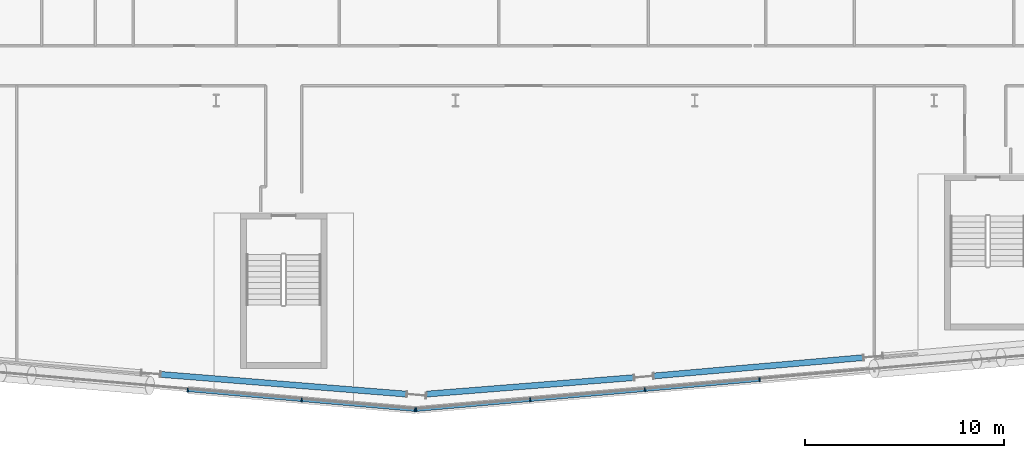
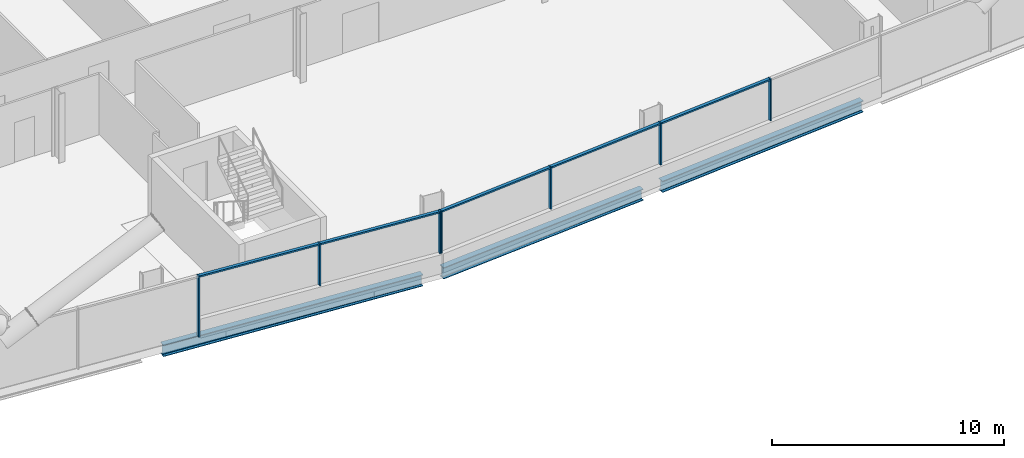
# One storey, part 6 of 27: 12 members, 3 beams, 2 elements without a shape of their own.
"""IFC4 building model written with IfcOpenShell, lengths in metres."""

from ifc_helpers import new_model, si_unit, direction, frame, origin, origin_2d, place, context, subcontext, project, spatial, rectangle, i_section, extrude, material, material_profile, profile_set, type_object, element, aggregate, save


model = new_model("IFC4")

# Units and contexts
model_context = context("Model", 3, precision=1e-05, world=origin(), true_north=direction((0.0, 1.0)))
body_context = subcontext(model_context, "Body", "Model", "MODEL_VIEW")
ifc_project = project(units=[si_unit("LENGTHUNIT", "METRE"), si_unit("AREAUNIT", "SQUARE_METRE"), si_unit("VOLUMEUNIT", "CUBIC_METRE"), si_unit("PLANEANGLEUNIT", "RADIAN"), si_unit("MASSUNIT", "GRAM", prefix="KILO")], contexts=[model_context])

# Site, building, storey
site_placement = place(None, origin())
site = spatial("IfcSite", under=ifc_project, at=site_placement, CompositionType="ELEMENT")
building_placement = place(site_placement, origin())
building = spatial("IfcBuilding", under=site, at=building_placement, Name="Wharfspan Tower", CompositionType="ELEMENT")
storey_placement = place(building_placement, frame((0.0, 0.0, 48.699951)))
storey = spatial("IfcBuildingStorey", under=building, at=storey_placement, Name="L08", CompositionType="ELEMENT", Elevation=48.699951)

# Beams
ifc_material_1 = material(Name="Steel S355J2", Category="steel")
ifc_material_profile_1 = material_profile(ifc_material_1, i_section(OverallWidth=0.300049, OverallDepth=0.600098, WebThickness=0.015381, FlangeThickness=0.030029, FilletRadius=0.0271, at=origin_2d()))
ifc_profile_set_1 = profile_set([ifc_material_profile_1], Name="Steel S355J2")
beam_type = type_object("IfcBeamType", Name="Edge beam HEB 600", PredefinedType="SPANDREL", material=ifc_profile_set_1)
beam_1_placement = place(storey_placement, frame((33.222656, -2.240479, -0.699951), z_axis=(0.996802, -0.079913, 0.0), x_axis=(0.079913, 0.996802, 0.0)))
element("IfcBeam", 1, at=beam_1_placement, inside=storey, type_object=beam_type, Name="Edge beam S1 L08 PS1.3 to PS1.4", PredefinedType="SPANDREL", context=body_context, shape_type="SweptSolid", body=[
    extrude(i_section(OverallWidth=0.300049, OverallDepth=0.600098, WebThickness=0.015381, FlangeThickness=0.030029, FilletRadius=0.0271, at=origin_2d()), origin(), (0.0, 0.0, 1.0), 12.36084),
])
beam_2_placement = place(storey_placement, frame((46.547852, -3.228027, -0.699951), z_axis=(0.996848, 0.079335, 0.0), x_axis=(-0.079335, 0.996848, 0.0)))
element("IfcBeam", 2, at=beam_2_placement, inside=storey, type_object=beam_type, Name="Edge beam S2 L08 PS1.4 to PS2.1", PredefinedType="SPANDREL", context=body_context, shape_type="SweptSolid", body=[
    extrude(i_section(OverallWidth=0.300049, OverallDepth=0.600098, WebThickness=0.015381, FlangeThickness=0.030029, FilletRadius=0.0271, at=origin_2d()), origin(), (0.0, 0.0, 1.0), 10.429199),
])
beam_3_placement = place(storey_placement, frame((57.940674, -2.317383, -0.699951), z_axis=(0.996195, 0.087155, 0.0), x_axis=(-0.087155, 0.996195, 0.0)))
element("IfcBeam", 3, at=beam_3_placement, inside=storey, type_object=beam_type, Name="Edge beam S2 L08 PS2.1 to PS2.2", PredefinedType="SPANDREL", context=body_context, shape_type="SweptSolid", body=[
    extrude(i_section(OverallWidth=0.300049, OverallDepth=0.600098, WebThickness=0.015381, FlangeThickness=0.030029, FilletRadius=0.0271, at=origin_2d()), origin(), (0.0, 0.0, 1.0), 10.543701),
])

# Curtain wall, members
ifc_material_2 = material(Name="Aluminium 6063-T6", Category="aluminium")
curtain_wall_type = type_object("IfcCurtainWallType", Name="CURTAIN WALL FACETED FRONT", PredefinedType="NOTDEFINED", material=ifc_material_2)
curtain_wall_1_placement = place(storey_placement, origin())
curtain_wall_1 = element("IfcCurtainWall", 4, at=curtain_wall_1_placement, inside=storey, type_object=curtain_wall_type, Name="Curtain wall S1", PredefinedType="NOTDEFINED")
ifc_material_profile_2 = material_profile(ifc_material_2, rectangle(XDim=0.199951, YDim=0.060059, at=origin_2d()))
ifc_profile_set_2 = profile_set([ifc_material_profile_2], Name="Aluminium 6063-T6")
member_type_1 = type_object("IfcMemberType", Name="MULLION FACETED FRONT 60x200", PredefinedType="MULLION", material=ifc_profile_set_2)
member_1_placement = place(storey_placement, frame((34.571533, -3.024658, 0.0), z_axis=(0.0, 0.0, 1.0), x_axis=(0.087156, 0.996197, 0.0)))
member_1 = element("IfcMember", 5, at=member_1_placement, type_object=member_type_1, Name="Curtain wall S1 mullion 6", PredefinedType="MULLION", context=body_context, shape_type="SweptSolid", body=[
    extrude(rectangle(XDim=0.199951, YDim=0.060059, at=origin_2d()), origin(), (0.0, 0.0, 1.0), 3.199951),
])
member_2_placement = place(storey_placement, frame((40.285645, -3.524658, 1.0), z_axis=(0.0, 0.0, 1.0), x_axis=(0.087156, 0.996197, 0.0)))
member_2 = element("IfcMember", 6, at=member_2_placement, type_object=member_type_1, Name="Curtain wall S1 mullion 7", PredefinedType="MULLION", context=body_context, shape_type="SweptSolid", body=[
    extrude(rectangle(XDim=0.199951, YDim=0.060059, at=origin_2d()), origin(), (0.0, 0.0, 1.0), 2.199951),
])
member_3_placement = place(storey_placement, frame((45.970215, -4.021973, 1.0), z_axis=(0.0, 0.0, 1.0), x_axis=(0.087156, 0.996197, 0.0)))
member_3 = element("IfcMember", 7, at=member_3_placement, type_object=member_type_1, Name="Curtain wall S1 mullion 8", PredefinedType="MULLION", context=body_context, shape_type="SweptSolid", body=[
    extrude(rectangle(XDim=0.199951, YDim=0.060059, at=origin_2d()), origin(), (0.0, 0.0, 1.0), 2.199951),
])

curtain_wall_2_placement = place(storey_placement, origin())
curtain_wall_2 = element("IfcCurtainWall", 8, at=curtain_wall_2_placement, inside=storey, type_object=curtain_wall_type, Name="Curtain wall S2", PredefinedType="NOTDEFINED")
member_4_placement = place(storey_placement, frame((46.029785, -4.021973, 1.0), z_axis=(0.0, 0.0, 1.0), x_axis=(-0.087156, 0.996197, 0.0)))
member_4 = element("IfcMember", 9, at=member_4_placement, type_object=member_type_1, Name="Curtain wall S2 mullion 1", PredefinedType="MULLION", context=body_context, shape_type="SweptSolid", body=[
    extrude(rectangle(XDim=0.199951, YDim=0.060059, at=origin_2d()), origin(), (0.0, 0.0, 1.0), 2.199951),
])
member_5_placement = place(storey_placement, frame((51.75, -3.521484, 1.0), z_axis=(0.0, 0.0, 1.0), x_axis=(-0.087156, 0.996197, 0.0)))
member_5 = element("IfcMember", 10, at=member_5_placement, type_object=member_type_1, Name="Curtain wall S2 mullion 2", PredefinedType="MULLION", context=body_context, shape_type="SweptSolid", body=[
    extrude(rectangle(XDim=0.199951, YDim=0.060059, at=origin_2d()), origin(), (0.0, 0.0, 1.0), 2.199951),
])
member_6_placement = place(storey_placement, frame((57.5, -3.018311, 1.0), z_axis=(0.0, 0.0, 1.0), x_axis=(-0.087156, 0.996197, 0.0)))
member_6 = element("IfcMember", 11, at=member_6_placement, type_object=member_type_1, Name="Curtain wall S2 mullion 3", PredefinedType="MULLION", context=body_context, shape_type="SweptSolid", body=[
    extrude(rectangle(XDim=0.199951, YDim=0.060059, at=origin_2d()), origin(), (0.0, 0.0, 1.0), 2.199951),
])
member_7_placement = place(storey_placement, frame((63.25, -2.515381, 1.0), z_axis=(0.0, 0.0, 1.0), x_axis=(-0.087156, 0.996197, 0.0)))
member_7 = element("IfcMember", 12, at=member_7_placement, type_object=member_type_1, Name="Curtain wall S2 mullion 4", PredefinedType="MULLION", context=body_context, shape_type="SweptSolid", body=[
    extrude(rectangle(XDim=0.199951, YDim=0.060059, at=origin_2d()), origin(), (0.0, 0.0, 1.0), 2.199951),
])

# Member
ifc_material_profile_3 = material_profile(ifc_material_2, rectangle(XDim=0.159912, YDim=0.080078, at=origin_2d()))
ifc_profile_set_3 = profile_set([ifc_material_profile_3], Name="Aluminium 6063-T6")
member_type_2 = type_object("IfcMemberType", Name="TRANSOM FACETED FRONT 80x160", PredefinedType="USERDEFINED", material=ifc_profile_set_3)
member_8_placement = place(storey_placement, frame((34.601318, -3.027344, 3.160156), z_axis=(0.996196, -0.087142, 0.0), x_axis=(0.087142, 0.996196, 0.0)))
member_8 = element("IfcMember", 13, at=member_8_placement, type_object=member_type_2, Name="Curtain wall S1 transom 6", ObjectType="TRANSOM", PredefinedType="USERDEFINED", context=body_context, shape_type="SweptSolid", body=[
    extrude(rectangle(XDim=0.159912, YDim=0.080078, at=origin_2d()), origin(), (0.0, 0.0, 1.0), 5.676025),
])

member_9_placement = place(storey_placement, frame((40.315674, -3.5271, 3.160156), z_axis=(0.996193, -0.087174, 0.0), x_axis=(0.087174, 0.996193, 0.0)))
member_9 = element("IfcMember", 14, at=member_9_placement, type_object=member_type_2, Name="Curtain wall S1 transom 7", ObjectType="TRANSOM", PredefinedType="USERDEFINED", context=body_context, shape_type="SweptSolid", body=[
    extrude(rectangle(XDim=0.159912, YDim=0.080078, at=origin_2d()), origin(), (0.0, 0.0, 1.0), 5.645996),
])

aggregate(curtain_wall_1, [member_1, member_2, member_3, member_8, member_9])

member_10_placement = place(storey_placement, frame((46.059814, -4.019287, 3.160156), z_axis=(0.996193, 0.08718, 0.0), x_axis=(-0.08718, 0.996193, 0.0)))
member_10 = element("IfcMember", 15, at=member_10_placement, type_object=member_type_2, Name="Curtain wall S2 transom 1", ObjectType="TRANSOM", PredefinedType="USERDEFINED", context=body_context, shape_type="SweptSolid", body=[
    extrude(rectangle(XDim=0.159912, YDim=0.080078, at=origin_2d()), origin(), (0.0, 0.0, 1.0), 5.682129),
])

member_11_placement = place(storey_placement, frame((51.779785, -3.518799, 3.160156), z_axis=(0.996195, 0.087148, 0.0), x_axis=(-0.087148, 0.996195, 0.0)))
member_11 = element("IfcMember", 16, at=member_11_placement, type_object=member_type_2, Name="Curtain wall S2 transom 2", ObjectType="TRANSOM", PredefinedType="USERDEFINED", context=body_context, shape_type="SweptSolid", body=[
    extrude(rectangle(XDim=0.159912, YDim=0.080078, at=origin_2d()), origin(), (0.0, 0.0, 1.0), 5.712158),
])

member_12_placement = place(storey_placement, frame((57.529785, -3.015625, 3.160156), z_axis=(0.996195, 0.087148, 0.0), x_axis=(-0.087148, 0.996195, 0.0)))
member_12 = element("IfcMember", 17, at=member_12_placement, type_object=member_type_2, Name="Curtain wall S2 transom 3", ObjectType="TRANSOM", PredefinedType="USERDEFINED", context=body_context, shape_type="SweptSolid", body=[
    extrude(rectangle(XDim=0.159912, YDim=0.080078, at=origin_2d()), origin(), (0.0, 0.0, 1.0), 5.712158),
])

aggregate(curtain_wall_2, [member_4, member_5, member_6, member_7, member_10, member_11, member_12])

save(model, "model.ifc")
